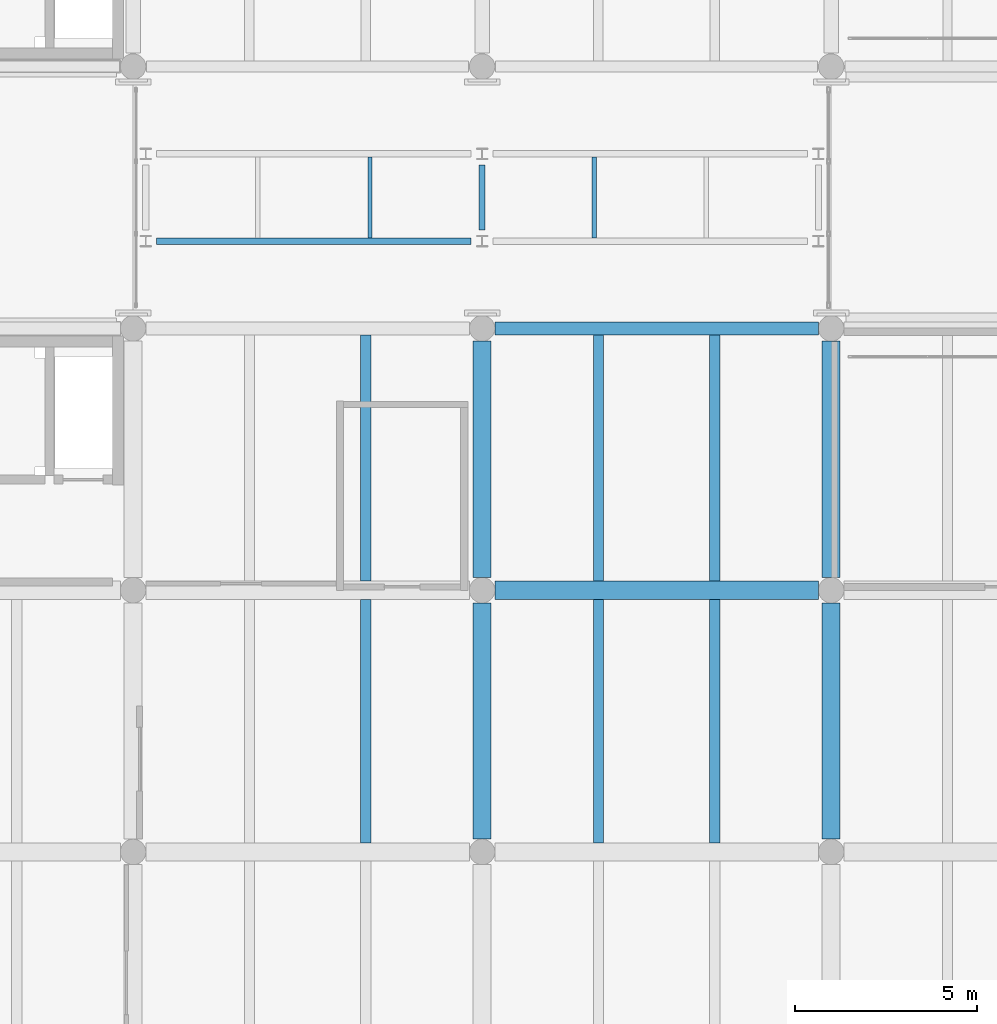
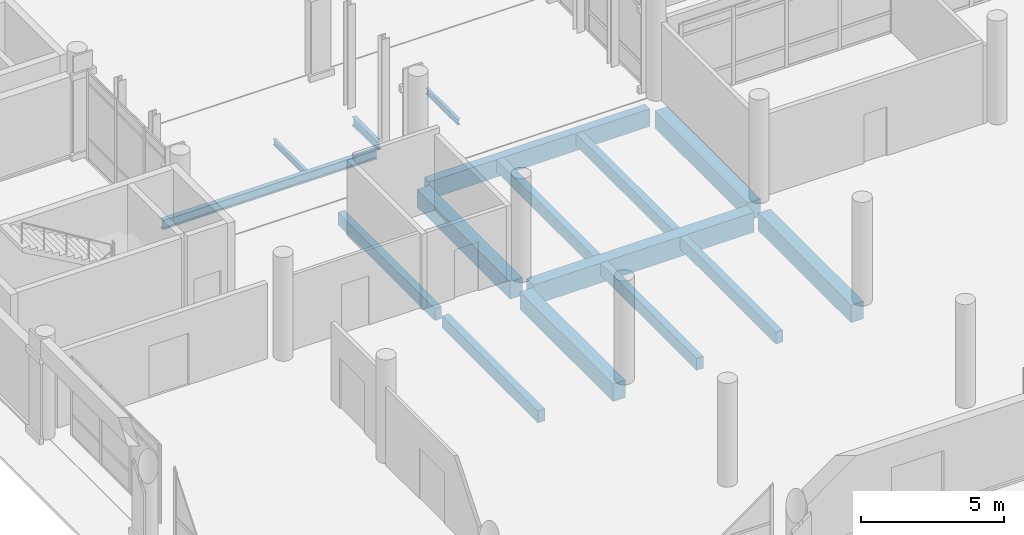
# One storey, part 31 of 196: 16 beams.
"""IFC4 building model written with IfcOpenShell, lengths in metres."""

from ifc_helpers import new_model, si_unit, direction, frame, origin, origin_2d, place, context, subcontext, project, spatial, rectangle, i_section, extrude, material, material_profile, profile_set, type_object, element, save


model = new_model("IFC4")

# Units and contexts
model_context = context("Model", 3, precision=1e-05, world=origin(), true_north=direction((0.0, 1.0)))
body_context = subcontext(model_context, "Body", "Model", "MODEL_VIEW")
ifc_project = project(units=[si_unit("LENGTHUNIT", "METRE"), si_unit("AREAUNIT", "SQUARE_METRE"), si_unit("VOLUMEUNIT", "CUBIC_METRE"), si_unit("PLANEANGLEUNIT", "RADIAN"), si_unit("MASSUNIT", "GRAM", prefix="KILO")], contexts=[model_context])

# Site, building, storey
site_placement = place(None, origin())
site = spatial("IfcSite", under=ifc_project, at=site_placement, CompositionType="ELEMENT")
building_placement = place(site_placement, origin())
building = spatial("IfcBuilding", under=site, at=building_placement, Name="Asteropetra Specialist Clinic", CompositionType="ELEMENT")
storey_placement = place(building_placement, origin())
storey = spatial("IfcBuildingStorey", under=building, at=storey_placement, Name="L00", CompositionType="ELEMENT", Elevation=0.0)

# Beams
ifc_material_1 = material(Name="Concrete C35/45", Category="concrete")
ifc_material_profile_1 = material_profile(ifc_material_1, rectangle(XDim=0.5, YDim=0.75, at=origin_2d()), Name="RCB 500x750")
ifc_profile_set_1 = profile_set([ifc_material_profile_1], Name="Concrete C35/45")
beam_type_1 = type_object("IfcBeamType", Name="BM-RC500x750", PredefinedType="BEAM", material=ifc_profile_set_1)
for number, where, z_axis, x_axis, name in (
    (1, (19.199951171875, 12.35009765625, -0.715087890625), (0.0, 1.0, 0.0), (-1.0, 0.0, 0.0), "Beam BBM04-0071"),
    (2, (28.800048828125, 12.35009765625, -0.715087890625), (0.0, 1.0, 0.0), (-1.0, 0.0, 0.0), "Beam BBM04-0072"),
    (3, (19.199951171875, 19.550048828125, -0.715087890625), (0.0, 1.0, 0.0), (-1.0, 0.0, 0.0), "Beam BBM04-0090"),
    (4, (28.800048828125, 19.550048828125, -0.715087890625), (0.0, 1.0, 0.0), (-1.0, 0.0, 0.0), "Beam BBM04-0091"),
):
    element("IfcBeam", number, at=place(storey_placement, frame(where, z_axis=z_axis, x_axis=x_axis)), inside=storey, type_object=beam_type_1, Name=name, PredefinedType="BEAM", context=body_context, shape_type="SweptSolid", body=[
        extrude(rectangle(XDim=0.5, YDim=0.75, at=origin_2d()), origin(), (0.0, 0.0, 1.0), 6.5),
    ])
ifc_material_2 = material(Name="Concrete C35/45", Category="concrete")
ifc_material_profile_2 = material_profile(ifc_material_2, rectangle(XDim=0.5, YDim=0.85009765625, at=origin_2d()), Name="RCB 500x850")
ifc_profile_set_2 = profile_set([ifc_material_profile_2], Name="Concrete C35/45")
beam_type_2 = type_object("IfcBeamType", Name="BM-RC500x850", PredefinedType="BEAM", material=ifc_profile_set_2)
beam_1_placement = place(storey_placement, frame((19.550048828125, 19.199951171875, -0.764892578125), z_axis=(1.0, 0.0, 0.0), x_axis=(0.0, 1.0, 0.0)))
element("IfcBeam", 5, at=beam_1_placement, inside=storey, type_object=beam_type_2, Name="Beam BBM03-0021", PredefinedType="BEAM", context=body_context, shape_type="SweptSolid", body=[
    extrude(rectangle(XDim=0.5, YDim=0.85009765625, at=origin_2d()), origin(), (0.0, 0.0, 1.0), 8.89990234375),
])
ifc_material_3 = material(Name="Steel S355", Category="steel")
ifc_material_profile_3 = material_profile(ifc_material_3, i_section(OverallWidth=0.169921875, OverallDepth=0.360107421875, WebThickness=0.008056640625, FlangeThickness=0.0126953125, FilletRadius=0.01806640625, at=origin_2d()), Name="IPE 360")
ifc_profile_set_3 = profile_set([ifc_material_profile_3], Name="Steel S355")
beam_type_3 = type_object("IfcBeamType", Name="BM-STL-IPE360", PredefinedType="BEAM", material=ifc_profile_set_3)
beam_2_placement = place(storey_placement, frame((19.199951171875, 29.10009765625, -0.419921875), z_axis=(0.0, 1.0, 0.0), x_axis=(-1.0, 0.0, 0.0)))
element("IfcBeam", 6, at=beam_2_placement, inside=storey, type_object=beam_type_3, Name="Beam BBMS4-0220", PredefinedType="BEAM", context=body_context, shape_type="SweptSolid", body=[
    extrude(i_section(OverallWidth=0.169921875, OverallDepth=0.360107421875, WebThickness=0.008056640625, FlangeThickness=0.0126953125, FilletRadius=0.01806640625, at=origin_2d()), origin(), (0.0, 0.0, 1.0), 1.7998046875),
])
ifc_material_4 = material(Name="Steel S355", Category="steel")
ifc_material_profile_4 = material_profile(ifc_material_4, i_section(OverallWidth=0.179931640625, OverallDepth=0.39990234375, WebThickness=0.008544921875, FlangeThickness=0.013427734375, FilletRadius=0.02099609375, at=origin_2d()), Name="IPE 400")
ifc_profile_set_4 = profile_set([ifc_material_profile_4], Name="Steel S355")
beam_type_4 = type_object("IfcBeamType", Name="BM-STL-IPE400", PredefinedType="BEAM", material=ifc_profile_set_4)
beam_3_placement = place(storey_placement, frame((10.25, 28.800048828125, -0.43994140625), z_axis=(1.0, 0.0, 0.0), x_axis=(0.0, 1.0, 0.0)))
element("IfcBeam", 7, at=beam_3_placement, inside=storey, type_object=beam_type_4, Name="Beam BBMS3-0215", PredefinedType="BEAM", context=body_context, shape_type="SweptSolid", body=[
    extrude(i_section(OverallWidth=0.179931640625, OverallDepth=0.39990234375, WebThickness=0.008544921875, FlangeThickness=0.013427734375, FilletRadius=0.02099609375, at=origin_2d()), origin(), (0.0, 0.0, 1.0), 8.64990234375),
])
ifc_material_5 = material(Name="Concrete C35/45", Category="concrete")
ifc_material_profile_5 = material_profile(ifc_material_5, rectangle(XDim=0.280029296875, YDim=0.52001953125, at=origin_2d()), Name="RCJ 280x520")
ifc_profile_set_5 = profile_set([ifc_material_profile_5], Name="Concrete C35/45")
beam_type_5 = type_object("IfcBeamType", Name="JST-RC280x520", PredefinedType="JOIST", material=ifc_profile_set_5)
for number, where, z_axis, x_axis, name in (
    (8, (16.0, 12.25, -0.60009765625), (0.0, 1.0, 0.0), (-1.0, 0.0, 0.0), "Joist JJST01-0079"),
    (9, (22.39990234375, 12.25, -0.60009765625), (0.0, 1.0, 0.0), (-1.0, 0.0, 0.0), "Joist JJST01-0080"),
    (10, (25.60009765625, 12.25, -0.60009765625), (0.0, 1.0, 0.0), (-1.0, 0.0, 0.0), "Joist JJST01-0081"),
):
    element("IfcBeam", number, at=place(storey_placement, frame(where, z_axis=z_axis, x_axis=x_axis)), inside=storey, type_object=beam_type_5, Name=name, PredefinedType="JOIST", context=body_context, shape_type="SweptSolid", body=[
        extrude(rectangle(XDim=0.280029296875, YDim=0.52001953125, at=origin_2d()), origin(), (0.0, 0.0, 1.0), 6.699951171875),
    ])
for number, where, z_axis, x_axis, name in (
    (11, (16.0, 19.449951171875, -0.60009765625), (0.0, 1.0, 0.0), (-1.0, 0.0, 0.0), "Joist JJST01-0096"),
    (12, (22.39990234375, 19.449951171875, -0.60009765625), (0.0, 1.0, 0.0), (-1.0, 0.0, 0.0), "Joist JJST01-0097"),
    (13, (25.60009765625, 19.449951171875, -0.60009765625), (0.0, 1.0, 0.0), (-1.0, 0.0, 0.0), "Joist JJST01-0098"),
):
    element("IfcBeam", number, at=place(storey_placement, frame(where, z_axis=z_axis, x_axis=x_axis)), inside=storey, type_object=beam_type_5, Name=name, PredefinedType="JOIST", context=body_context, shape_type="SweptSolid", body=[
        extrude(rectangle(XDim=0.280029296875, YDim=0.52001953125, at=origin_2d()), origin(), (0.0, 0.0, 1.0), 6.775146484375),
    ])
ifc_material_6 = material(Name="Steel S355", Category="steel")
ifc_material_profile_6 = material_profile(ifc_material_6, i_section(OverallWidth=0.1201171875, OverallDepth=0.239990234375, WebThickness=0.006103515625, FlangeThickness=0.009765625, FilletRadius=0.014892578125, at=origin_2d()), Name="IPE 240")
ifc_profile_set_6 = profile_set([ifc_material_profile_6], Name="Steel S355")
beam_type_6 = type_object("IfcBeamType", Name="JST-STL-IPE240", PredefinedType="JOIST", material=ifc_profile_set_6)
for number, where, z_axis, x_axis, name in (
    (14, (16.11669921875, 28.889892578125, -0.360107421875), (0.0, 1.0, 0.0), (-1.0, 0.0, 0.0), "Joist JJSTS1-0223"),
    (15, (22.283203125, 28.889892578125, -0.360107421875), (0.0, 1.0, 0.0), (-1.0, 0.0, 0.0), "Joist JJSTS1-0224"),
):
    element("IfcBeam", number, at=place(storey_placement, frame(where, z_axis=z_axis, x_axis=x_axis)), inside=storey, type_object=beam_type_6, Name=name, PredefinedType="JOIST", context=body_context, shape_type="SweptSolid", body=[
        extrude(i_section(OverallWidth=0.1201171875, OverallDepth=0.239990234375, WebThickness=0.006103515625, FlangeThickness=0.009765625, FilletRadius=0.014892578125, at=origin_2d()), origin(), (0.0, 0.0, 1.0), 2.22021484375),
    ])
ifc_material_7 = material(Name="Concrete C35/45", Category="concrete")
ifc_material_profile_7 = material_profile(ifc_material_7, rectangle(XDim=0.35009765625, YDim=0.75, at=origin_2d()), Name="RCS 350x750")
ifc_profile_set_7 = profile_set([ifc_material_profile_7], Name="Concrete C35/45")
beam_type_7 = type_object("IfcBeamType", Name="SPN-RC350x750", PredefinedType="SPANDREL", material=ifc_profile_set_7)
beam_4_placement = place(storey_placement, frame((19.550048828125, 26.39990234375, -0.715087890625), z_axis=(1.0, 0.0, 0.0), x_axis=(0.0, 1.0, 0.0)))
element("IfcBeam", 16, at=beam_4_placement, inside=storey, type_object=beam_type_7, Name="Beam BSPN01-0027", PredefinedType="SPANDREL", context=body_context, shape_type="SweptSolid", body=[
    extrude(rectangle(XDim=0.35009765625, YDim=0.75, at=origin_2d()), origin(), (0.0, 0.0, 1.0), 8.89990234375),
])

save(model, "model.ifc")
